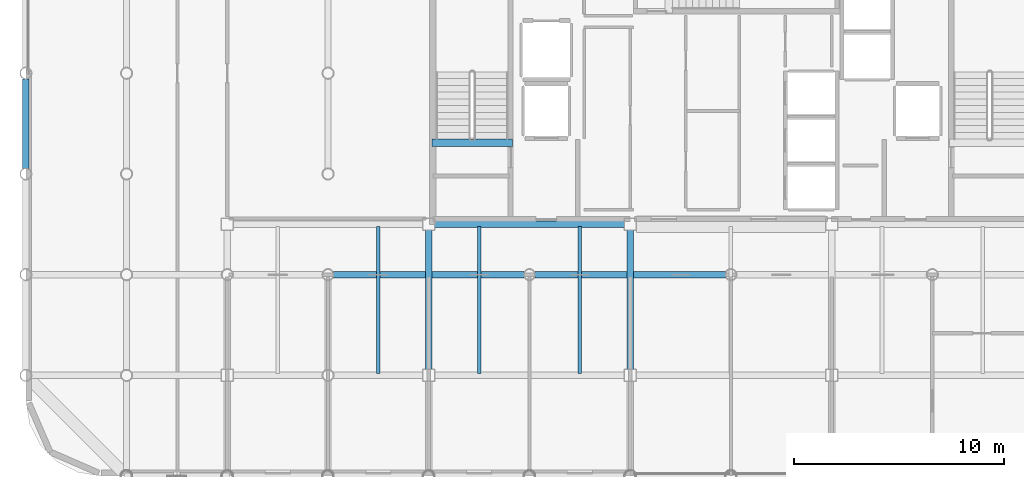
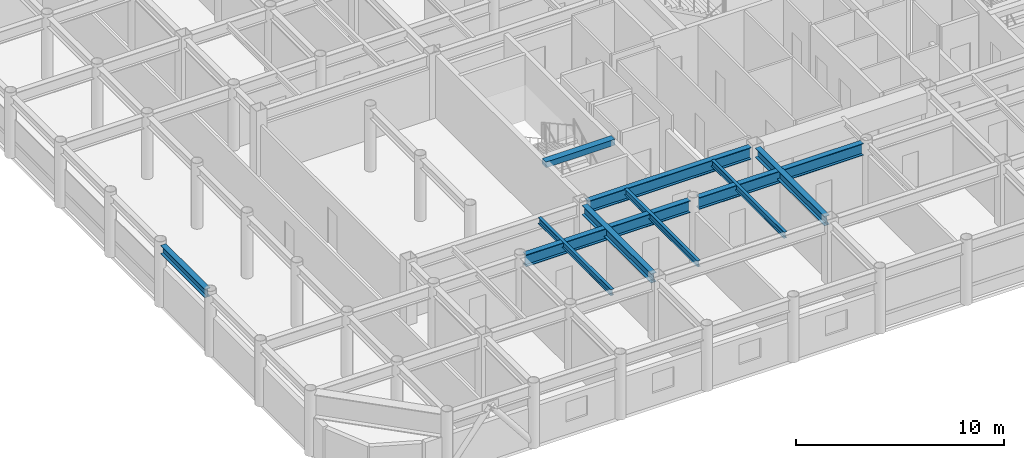
# One storey, part 5 of 22: 10 beams.
"""IFC4 building model written with IfcOpenShell, lengths in metres."""

from ifc_helpers import new_model, si_unit, direction, frame, origin, origin_2d, place, context, subcontext, project, spatial, rectangle, i_section, extrude, material, material_profile, profile_set, type_object, element, save


model = new_model("IFC4")

# Units and contexts
model_context = context("Model", 3, precision=1e-05, world=origin(), true_north=direction((0.0, 1.0)))
body_context = subcontext(model_context, "Body", "Model", "MODEL_VIEW")
ifc_project = project(units=[si_unit("LENGTHUNIT", "METRE"), si_unit("AREAUNIT", "SQUARE_METRE"), si_unit("VOLUMEUNIT", "CUBIC_METRE"), si_unit("PLANEANGLEUNIT", "RADIAN"), si_unit("MASSUNIT", "GRAM", prefix="KILO")], contexts=[model_context])

# Site, building, storey
site_placement = place(None, origin())
site = spatial("IfcSite", under=ifc_project, at=site_placement, CompositionType="ELEMENT")
building_placement = place(site_placement, origin())
building = spatial("IfcBuilding", under=site, at=building_placement, Name="Kallvorn Hotel Tower", CompositionType="ELEMENT")
storey_placement = place(building_placement, frame((0.0, 0.0, 253.10009765625)))
storey = spatial("IfcBuildingStorey", under=building, at=storey_placement, Name="L63", CompositionType="ELEMENT", Elevation=253.10009765625)

# Beams
ifc_material_1 = material(Name="Structural steel S355JR", Category="steel")
ifc_material_profile_1 = material_profile(ifc_material_1, i_section(OverallWidth=0.300048828125, OverallDepth=0.5, WebThickness=0.014404296875, FlangeThickness=0.028076171875, at=origin_2d()), Name="HE 500 B")
ifc_profile_set_1 = profile_set([ifc_material_profile_1], Name="Structural steel S355JR")
beam_type_1 = type_object("IfcBeamType", Name="BM_HE500B", PredefinedType="SPANDREL", material=ifc_profile_set_1)
beam_1_placement = place(storey_placement, frame((-33.60009765625, -4.530517578125, 3.419921875), z_axis=(0.0, 1.0, 0.0), x_axis=(-1.0, 0.0, 0.0)))
element("IfcBeam", 1, at=beam_1_placement, inside=storey, type_object=beam_type_1, Name="L64 Perimeter Spandrel 176", PredefinedType="SPANDREL", context=body_context, shape_type="SweptSolid", body=[
    extrude(i_section(OverallWidth=0.300048828125, OverallDepth=0.5, WebThickness=0.014404296875, FlangeThickness=0.028076171875, at=origin_2d()), origin(), (0.0, 0.0, 1.0), 4.260986328125),
])
ifc_material_2 = material(Name="Structural steel S355JR", Category="steel")
ifc_material_profile_2 = material_profile(ifc_material_2, i_section(OverallWidth=0.300048828125, OverallDepth=0.550048828125, WebThickness=0.014892578125, FlangeThickness=0.029052734375, at=origin_2d()), Name="HE 550 B")
ifc_profile_set_2 = profile_set([ifc_material_profile_2], Name="Structural steel S355JR")
beam_type_2 = type_object("IfcBeamType", Name="BM_HE550B", PredefinedType="SPANDREL", material=ifc_profile_set_2)
for number, where, z_axis, x_axis, name in (
    (2, (-14.39990234375, -14.125, 3.39501953125), (0.0, 1.0, 0.0), (-1.0, 0.0, 0.0), "L64 Primary Y-Girder 99"),
    (3, (-4.800048828125, -14.125, 3.39501953125), (0.0, 1.0, 0.0), (-1.0, 0.0, 0.0), "L64 Primary Y-Girder 107"),
):
    element("IfcBeam", number, at=place(storey_placement, frame(where, z_axis=z_axis, x_axis=x_axis)), inside=storey, type_object=beam_type_2, Name=name, PredefinedType="SPANDREL", context=body_context, shape_type="SweptSolid", body=[
        extrude(i_section(OverallWidth=0.300048828125, OverallDepth=0.550048828125, WebThickness=0.014892578125, FlangeThickness=0.029052734375, at=origin_2d()), origin(), (0.0, 0.0, 1.0), 6.64990234375),
    ])
ifc_material_3 = material(Name="Structural steel S355JR", Category="steel")
ifc_material_profile_3 = material_profile(ifc_material_3, i_section(OverallWidth=0.300048828125, OverallDepth=0.699951171875, WebThickness=0.01708984375, FlangeThickness=0.031982421875, at=origin_2d()), Name="HE 700 B")
ifc_profile_set_3 = profile_set([ifc_material_profile_3], Name="Structural steel S355JR")
beam_type_3 = type_object("IfcBeamType", Name="BM_HE700B", PredefinedType="BEAM", material=ifc_profile_set_3)
for number, where, z_axis, x_axis, name in (
    (4, (-18.945556640625, -9.60009765625, 3.31982421875), (1.0, 0.0, 0.0), (0.0, 1.0, 0.0), "L64 Primary X-Girder 26"),
    (5, (-9.345458984375, -9.60009765625, 3.31982421875), (1.0, 0.0, 0.0), (0.0, 1.0, 0.0), "L64 Primary X-Girder 27"),
):
    element("IfcBeam", number, at=place(storey_placement, frame(where, z_axis=z_axis, x_axis=x_axis)), inside=storey, type_object=beam_type_3, Name=name, PredefinedType="BEAM", context=body_context, shape_type="SweptSolid", body=[
        extrude(i_section(OverallWidth=0.300048828125, OverallDepth=0.699951171875, WebThickness=0.01708984375, FlangeThickness=0.031982421875, at=origin_2d()), origin(), (0.0, 0.0, 1.0), 9.091064453125),
    ])
beam_2_placement = place(storey_placement, frame((-14.125, -7.199951171875, 3.31982421875), z_axis=(1.0, 0.0, 0.0), x_axis=(0.0, 1.0, 0.0)))
element("IfcBeam", 6, at=beam_2_placement, inside=storey, type_object=beam_type_3, Name="L64 Primary X-Girder 33", PredefinedType="BEAM", context=body_context, shape_type="SweptSolid", body=[
    extrude(i_section(OverallWidth=0.300048828125, OverallDepth=0.699951171875, WebThickness=0.01708984375, FlangeThickness=0.031982421875, at=origin_2d()), origin(), (0.0, 0.0, 1.0), 9.050048828125),
])
ifc_material_4 = material(Name="Structural steel S355JR", Category="steel")
ifc_material_profile_4 = material_profile(ifc_material_4, i_section(OverallWidth=0.169921875, OverallDepth=0.360107421875, WebThickness=0.008056640625, FlangeThickness=0.0126953125, at=origin_2d()), Name="IPE 360")
ifc_profile_set_4 = profile_set([ifc_material_profile_4], Name="Structural steel S355JR")
beam_type_4 = type_object("IfcBeamType", Name="BM_IPE360", PredefinedType="JOIST", material=ifc_profile_set_4)
for number, where, z_axis, x_axis, name in (
    (7, (-16.800048828125, -14.300048828125, 3.489990234375), (0.0, 1.0, 0.0), (-1.0, 0.0, 0.0), "L64 Secondary Composite Joist 194"),
    (8, (-12.0, -14.300048828125, 3.489990234375), (0.0, 1.0, 0.0), (-1.0, 0.0, 0.0), "L64 Secondary Composite Joist 196"),
    (9, (-7.199951171875, -14.300048828125, 3.489990234375), (0.0, 1.0, 0.0), (-1.0, 0.0, 0.0), "L64 Secondary Composite Joist 198"),
):
    element("IfcBeam", number, at=place(storey_placement, frame(where, z_axis=z_axis, x_axis=x_axis)), inside=storey, type_object=beam_type_4, Name=name, PredefinedType="JOIST", context=body_context, shape_type="SweptSolid", body=[
        extrude(i_section(OverallWidth=0.169921875, OverallDepth=0.360107421875, WebThickness=0.008056640625, FlangeThickness=0.0126953125, at=origin_2d()), origin(), (0.0, 0.0, 1.0), 7.0),
    ])
ifc_material_5 = material(Name="Concrete C50/60", Category="concrete")
ifc_material_profile_5 = material_profile(ifc_material_5, rectangle(XDim=0.360107421875, YDim=0.340087890625, at=origin_2d()), Name="RC 360x340")
ifc_profile_set_5 = profile_set([ifc_material_profile_5], Name="Concrete C50/60")
beam_type_5 = type_object("IfcBeamType", Name="BM_RC_400x360", PredefinedType="BEAM", material=ifc_profile_set_5)
beam_3_placement = place(storey_placement, frame((-10.419921875, -3.31005859375, 3.5), z_axis=(-1.0, 0.0, 0.0), x_axis=(0.0, -1.0, 0.0)))
element("IfcBeam", 10, at=beam_3_placement, inside=storey, type_object=beam_type_5, Name="L64 Stair ST1 Arrival Trimmer Beam", PredefinedType="BEAM", context=body_context, shape_type="SweptSolid", body=[
    extrude(rectangle(XDim=0.360107421875, YDim=0.340087890625, at=origin_2d()), origin(), (0.0, 0.0, 1.0), 3.820068359375),
])

save(model, "model.ifc")
